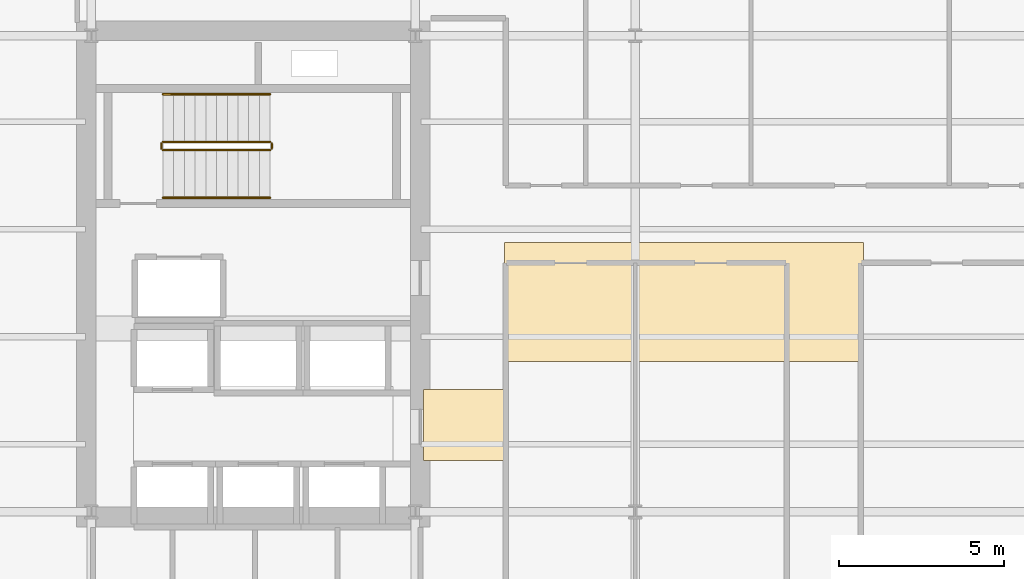
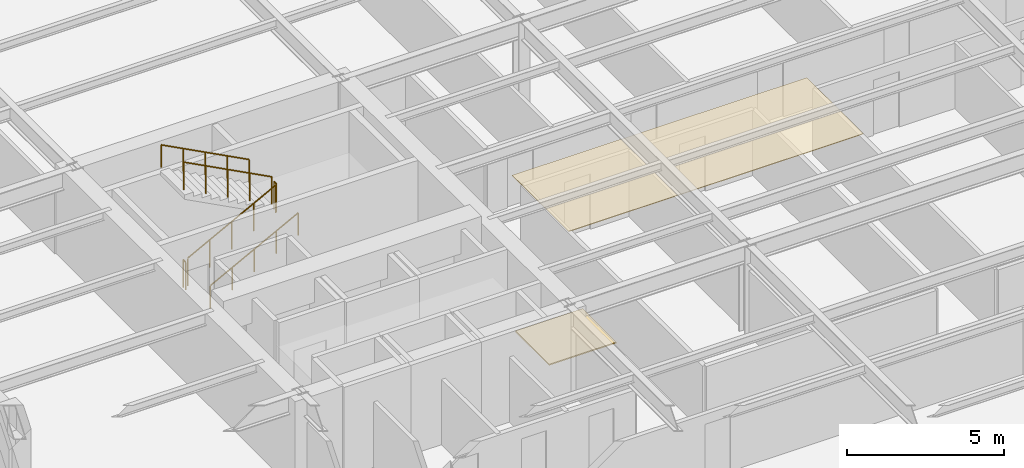
# One storey, part 9 of 11: 6 railings, 2 coverings.
"""IFC4 building model written with IfcOpenShell, lengths in metres."""

from ifc_helpers import new_model, si_unit, direction, frame, origin, origin_2d, place, context, subcontext, project, spatial, polyline, circle, outline, extrude, material, layer, layer_set, type_object, element, save


model = new_model("IFC4")

# Units and contexts
model_context = context("Model", 3, precision=1e-05, world=origin(), true_north=direction((0.0, 1.0)))
body_context = subcontext(model_context, "Body", "Model", "MODEL_VIEW")
ifc_project = project(units=[si_unit("LENGTHUNIT", "METRE"), si_unit("AREAUNIT", "SQUARE_METRE"), si_unit("VOLUMEUNIT", "CUBIC_METRE"), si_unit("PLANEANGLEUNIT", "RADIAN"), si_unit("MASSUNIT", "GRAM", prefix="KILO")], contexts=[model_context])

# Site, building, storey
site_placement = place(None, origin())
site = spatial("IfcSite", under=ifc_project, at=site_placement, CompositionType="ELEMENT")
building_placement = place(site_placement, origin())
building = spatial("IfcBuilding", under=site, at=building_placement, Name="Kolvaren Arena Tower", CompositionType="ELEMENT")
storey_placement = place(building_placement, frame((0.0, 0.0, 180.949951171875)))
storey = spatial("IfcBuildingStorey", under=building, at=storey_placement, Name="L43", CompositionType="ELEMENT", Elevation=180.949951171875)

# Coverings
ifc_material_1 = material(Name="Mineral fibre acoustic ceiling tile", Category="gypsum")
ifc_layer_1 = layer(ifc_material_1, 0.02490234375)
ifc_layer_set_1 = layer_set([ifc_layer_1], Name="Mineral fibre acoustic ceiling tile")
covering_type_1 = type_object("IfcCoveringType", Name="CEIL-ACT-1", PredefinedType="CEILING", material=ifc_layer_set_1)
covering_1_placement = place(storey_placement, frame((0.0, 0.0, 2.52001953125)))
element("IfcCovering", 1, at=covering_1_placement, inside=storey, type_object=covering_type_1, Name="Suspended Ceiling (L43)", PredefinedType="CEILING", context=body_context, shape_type="SweptSolid", body=[
    extrude(outline(polyline([(27.050048828125, 24.0), (27.050048828125, 27.60009765625), (37.89990234375, 27.60009765625), (37.89990234375, 24.0), (27.050048828125, 24.0)])), origin(), (0.0, 0.0, 1.0), 0.025146484375),
])
ifc_material_2 = material(Name="Raised access office floor finish", Category="aluminium")
ifc_layer_2 = layer(ifc_material_2, 0.044921875)
ifc_layer_set_2 = layer_set([ifc_layer_2], Name="Raised access office floor finish")
covering_type_2 = type_object("IfcCoveringType", Name="FLOR-RAF-1", PredefinedType="FLOORING", material=ifc_layer_set_2)
covering_2_placement = place(storey_placement, origin())
element("IfcCovering", 2, at=covering_2_placement, inside=storey, type_object=covering_type_2, Name="Floor Finish (L43)", PredefinedType="FLOORING", context=body_context, shape_type="SweptSolid", body=[
    extrude(outline(polyline([(24.60009765625, 21.0), (24.60009765625, 23.14990234375), (27.080078125, 23.14990234375), (27.080078125, 21.0), (24.60009765625, 21.0)])), origin(), (0.0, 0.0, 1.0), 0.045166015625),
])

# Railings
ifc_material_3 = material(Name="Painted galvanized steel", Category="steel")
railing_type_1 = type_object("IfcRailingType", Name="GUARD-ST-110", PredefinedType="GUARDRAIL", material=ifc_material_3)
railing_1_placement = place(storey_placement, frame((16.719970703125, 30.389892578125, 0.17041015625)))
element("IfcRailing", 3, at=railing_1_placement, inside=storey, type_object=railing_type_1, Name="L43 ST-W1 stair guard 1", PredefinedType="GUARDRAIL", context=body_context, shape_type="SweptSolid", body=[
    extrude(circle(Radius=0.02392578125, at=origin_2d()), frame((0.0, 0.0, 1.076171875), z_axis=(0.884993431791, 0.0, 0.465603506952), x_axis=(0.0, 1.0, 0.0)), (0.0, 0.0, 1.0), 3.6611328125),
    extrude(circle(Radius=0.02099609375, at=origin_2d()), origin(), (0.0, 0.0, 1.0), 1.052001953125),
    extrude(circle(Radius=0.02099609375, at=origin_2d()), frame((0.81005859375, 0.0, 0.42626953125)), (0.0, 0.0, 1.0), 1.052001953125),
    extrude(circle(Radius=0.02099609375, at=origin_2d()), frame((1.6201171875, 0.0, 0.852294921875)), (0.0, 0.0, 1.0), 1.052001953125),
    extrude(circle(Radius=0.02099609375, at=origin_2d()), frame((2.429931640625, 0.0, 1.2783203125)), (0.0, 0.0, 1.0), 1.052001953125),
    extrude(circle(Radius=0.02099609375, at=origin_2d()), frame((3.239990234375, 0.0, 1.70458984375)), (0.0, 0.0, 1.0), 1.052001953125),
])
railing_2_placement = place(storey_placement, frame((20.010009765625, 30.43994140625, 1.875)))
element("IfcRailing", 4, at=railing_2_placement, inside=storey, type_object=railing_type_1, Name="L43 ST-W1 stair guard 2", PredefinedType="GUARDRAIL", context=body_context, shape_type="SweptSolid", body=[
    extrude(circle(Radius=0.02392578125, at=origin_2d()), frame((0.0, 0.0, 1.076171875), z_axis=(0.0, 1.0, 0.0), x_axis=(-1.0, 0.0, 0.0)), (0.0, 0.0, 1.0), 0.150146484375),
    extrude(circle(Radius=0.02099609375, at=origin_2d()), origin(), (0.0, 0.0, 1.0), 1.052001953125),
    extrude(circle(Radius=0.02099609375, at=origin_2d()), frame((0.0, 0.150146484375, 0.0)), (0.0, 0.0, 1.0), 1.052001953125),
])
railing_3_placement = place(storey_placement, frame((19.9599609375, 30.639892578125, 2.04541015625)))
element("IfcRailing", 5, at=railing_3_placement, inside=storey, type_object=railing_type_1, Name="L43 ST-W1 stair guard 3", PredefinedType="GUARDRAIL", context=body_context, shape_type="SweptSolid", body=[
    extrude(circle(Radius=0.02392578125, at=origin_2d()), frame((0.0, 0.0, 1.076171875), z_axis=(-0.884993431791, 0.0, 0.465603506952), x_axis=(0.0, -1.0, 0.0)), (0.0, 0.0, 1.0), 3.6611328125),
    extrude(circle(Radius=0.02099609375, at=origin_2d()), origin(), (0.0, 0.0, 1.0), 1.052001953125),
    extrude(circle(Radius=0.02099609375, at=origin_2d()), frame((-0.81005859375, 0.0, 0.42626953125)), (0.0, 0.0, 1.0), 1.052001953125),
    extrude(circle(Radius=0.02099609375, at=origin_2d()), frame((-1.6201171875, 0.0, 0.852294921875)), (0.0, 0.0, 1.0), 1.052001953125),
    extrude(circle(Radius=0.02099609375, at=origin_2d()), frame((-2.429931640625, 0.0, 1.2783203125)), (0.0, 0.0, 1.0), 1.052001953125),
    extrude(circle(Radius=0.02099609375, at=origin_2d()), frame((-3.239990234375, 0.0, 1.70458984375)), (0.0, 0.0, 1.0), 1.052001953125),
])
railing_4_placement = place(storey_placement, frame((16.669921875, 30.43994140625, 0.0)))
element("IfcRailing", 6, at=railing_4_placement, inside=storey, type_object=railing_type_1, Name="L43 ST-W1 stair guard 4", PredefinedType="GUARDRAIL", context=body_context, shape_type="SweptSolid", body=[
    extrude(circle(Radius=0.02392578125, at=origin_2d()), frame((0.0, 0.0, 1.076171875), z_axis=(0.0, 1.0, 0.0), x_axis=(-1.0, 0.0, 0.0)), (0.0, 0.0, 1.0), 0.150146484375),
    extrude(circle(Radius=0.02099609375, at=origin_2d()), origin(), (0.0, 0.0, 1.0), 1.052001953125),
    extrude(circle(Radius=0.02099609375, at=origin_2d()), frame((0.0, 0.150146484375, 0.0)), (0.0, 0.0, 1.0), 1.052001953125),
])
ifc_material_4 = material(Name="Brushed stainless steel handrail", Category="steel")
railing_type_2 = type_object("IfcRailingType", Name="HRAIL-900", PredefinedType="HANDRAIL", material=ifc_material_4)
railing_5_placement = place(storey_placement, frame((16.719970703125, 28.949951171875, 0.17041015625)))
element("IfcRailing", 7, at=railing_5_placement, inside=storey, type_object=railing_type_2, Name="L43 ST-W1 stair handrail 1", PredefinedType="HANDRAIL", context=body_context, shape_type="SweptSolid", body=[
    extrude(circle(Radius=0.02392578125, at=origin_2d()), frame((0.0, 0.0, 0.8759765625), z_axis=(0.884993431791, 0.0, 0.465603506952), x_axis=(0.0, 1.0, 0.0)), (0.0, 0.0, 1.0), 3.6611328125),
    extrude(circle(Radius=0.02099609375, at=origin_2d()), origin(), (0.0, 0.0, 1.0), 0.851806640625),
    extrude(circle(Radius=0.02099609375, at=origin_2d()), frame((0.81005859375, 0.0, 0.42626953125)), (0.0, 0.0, 1.0), 0.851806640625),
    extrude(circle(Radius=0.02099609375, at=origin_2d()), frame((1.6201171875, 0.0, 0.852294921875)), (0.0, 0.0, 1.0), 0.851806640625),
    extrude(circle(Radius=0.02099609375, at=origin_2d()), frame((2.429931640625, 0.0, 1.2783203125)), (0.0, 0.0, 1.0), 0.851806640625),
    extrude(circle(Radius=0.02099609375, at=origin_2d()), frame((3.239990234375, 0.0, 1.70458984375)), (0.0, 0.0, 1.0), 0.851806640625),
])
railing_6_placement = place(storey_placement, frame((19.9599609375, 32.080078125, 2.04541015625)))
element("IfcRailing", 8, at=railing_6_placement, inside=storey, type_object=railing_type_2, Name="L43 ST-W1 stair handrail 2", PredefinedType="HANDRAIL", context=body_context, shape_type="SweptSolid", body=[
    extrude(circle(Radius=0.02392578125, at=origin_2d()), frame((0.0, 0.0, 0.8759765625), z_axis=(-0.884993431791, 0.0, 0.465603506952), x_axis=(0.0, -1.0, 0.0)), (0.0, 0.0, 1.0), 3.6611328125),
    extrude(circle(Radius=0.02099609375, at=origin_2d()), origin(), (0.0, 0.0, 1.0), 0.851806640625),
    extrude(circle(Radius=0.02099609375, at=origin_2d()), frame((-0.81005859375, 0.0, 0.42626953125)), (0.0, 0.0, 1.0), 0.851806640625),
    extrude(circle(Radius=0.02099609375, at=origin_2d()), frame((-1.6201171875, 0.0, 0.852294921875)), (0.0, 0.0, 1.0), 0.851806640625),
    extrude(circle(Radius=0.02099609375, at=origin_2d()), frame((-2.429931640625, 0.0, 1.2783203125)), (0.0, 0.0, 1.0), 0.851806640625),
    extrude(circle(Radius=0.02099609375, at=origin_2d()), frame((-3.239990234375, 0.0, 1.70458984375)), (0.0, 0.0, 1.0), 0.851806640625),
])

save(model, "model.ifc")
